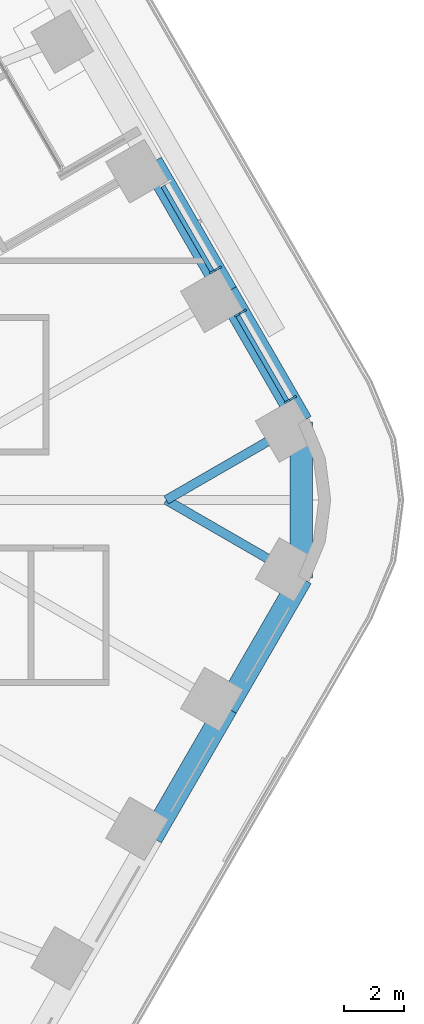
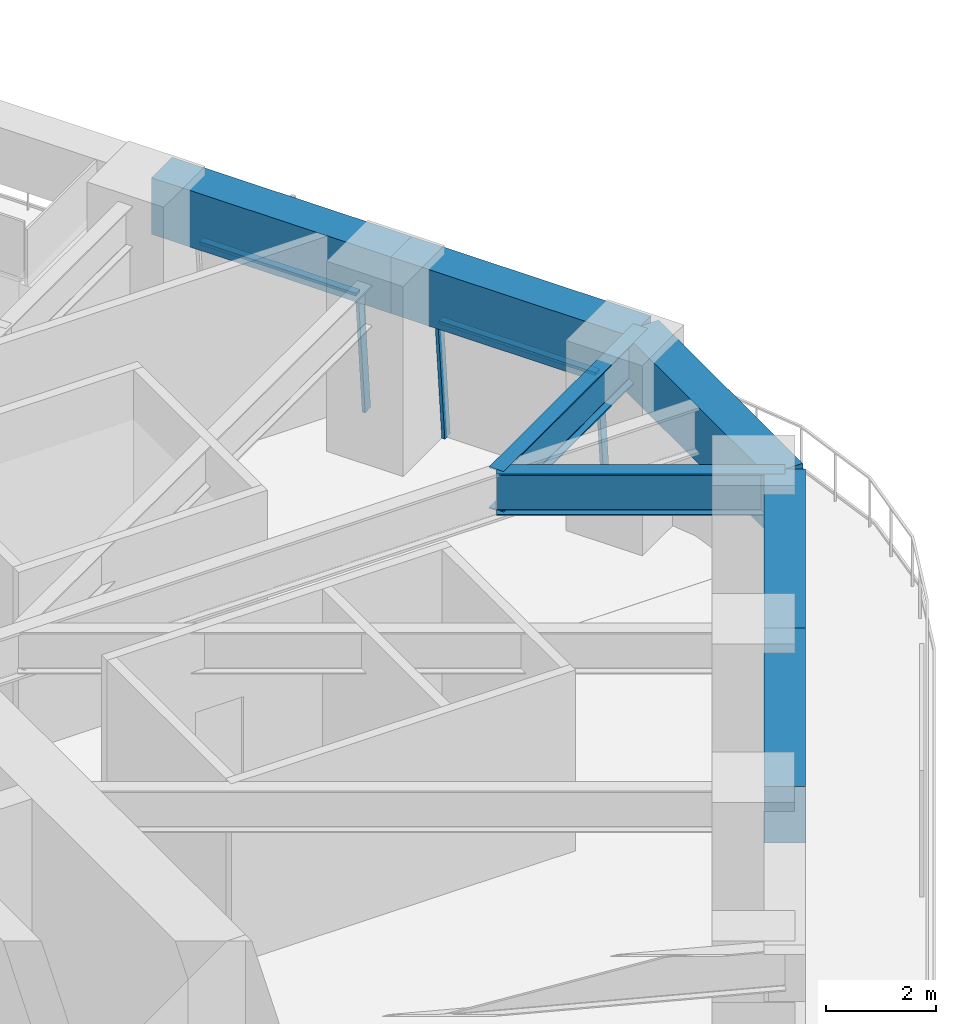
# One storey, part 14 of 24: 7 beams, 5 members, 2 elements without a shape of their own.
"""IFC4 building model written with IfcOpenShell, lengths in metres."""

import ifcopenshell
import ifcopenshell.guid

model = None  # the IFC model being written
_history = None  # IfcOwnerHistory: only IFC2X3 demands one
_inside = {}  # id of a spatial element -> (the spatial element, [elements in it])
_under = {}  # id of a project, library or spatial element -> (it, [spatial elements below it])
_declared = {}  # id of a project -> (the project, [libraries it declares])
_typed = {}  # id of a type object -> (the type object, [elements of that type])
_made_of = {}  # id of a material, layer set ... -> (it, [elements and type objects made of it])


def new_model(schema):
    """Start an empty IFC model of exactly this schema.

    Asked for "IFC4X3", IfcOpenShell would pick the latest addendum, in which some entities
    have other attributes; the version numbers below select the first issue.
    IFC2X3 requires an IfcOwnerHistory on every rooted entity: one is made here for all.
    """
    global model, _history
    if schema == "IFC4X3":
        model = ifcopenshell.file(schema_version=(4, 3, 0, 0))
    else:
        model = ifcopenshell.file(schema=schema)
    _inside.clear()
    _under.clear()
    _declared.clear()
    _typed.clear()
    _made_of.clear()
    _history = None
    if model.schema == "IFC2X3":
        org = make("IfcOrganization", Name="unknown")
        user = make(
            "IfcPersonAndOrganization",
            ThePerson=make("IfcPerson", FamilyName="unknown"),
            TheOrganization=org,
        )
        app = make(
            "IfcApplication",
            ApplicationDeveloper=org,
            Version="unknown",
            ApplicationFullName="unknown",
            ApplicationIdentifier="unknown",
        )
        _history = make(
            "IfcOwnerHistory",
            OwningUser=user,
            OwningApplication=app,
            ChangeAction="ADDED",
            CreationDate=0,
        )
    return model


def make(cls, **values):
    """One entity of the class cls with the attributes given. An attribute that is None is left unset."""
    return model.create_entity(
        cls, **{name: value for name, value in values.items() if value is not None}
    )


def rooted(cls, **values):
    """An entity with a GlobalId (a new one), such as an element, a storey or a relation."""
    return make(cls, GlobalId=ifcopenshell.guid.new(), OwnerHistory=_history, **values)


def si_unit(unit_type, name, prefix=None):
    """IfcSIUnit, for example si_unit("LENGTHUNIT", "METRE", prefix="MILLI")."""
    return make("IfcSIUnit", UnitType=unit_type, Prefix=prefix, Name=name)


def assignment(units):
    """IfcUnitAssignment: the units of a project."""
    return None if units is None else make("IfcUnitAssignment", Units=units)


def point(xyz):
    """IfcCartesianPoint."""
    return None if xyz is None else make("IfcCartesianPoint", Coordinates=xyz)


def direction(xyz):
    """IfcDirection."""
    return None if xyz is None else make("IfcDirection", DirectionRatios=xyz)


def frame(location, z_axis=None, x_axis=None):
    """IfcAxis2Placement3D, a coordinate frame: its origin and axes. An axis left out is left unset."""
    return make(
        "IfcAxis2Placement3D",
        Location=point(location),
        Axis=direction(z_axis),
        RefDirection=direction(x_axis),
    )


def frame_2d(location, x_axis=None):
    """IfcAxis2Placement2D, a coordinate frame in the plane: its origin and x axis."""
    return make(
        "IfcAxis2Placement2D", Location=point(location), RefDirection=direction(x_axis)
    )


def origin():
    """The frame at (0, 0, 0) with its axes left unset."""
    return frame((0.0, 0.0, 0.0))


def origin_2d():
    """The frame at (0, 0) in the plane with its x axis left unset."""
    return frame_2d((0.0, 0.0))


def place(relative_to, where):
    """IfcLocalPlacement: puts the frame where relative to a parent placement (None: the world)."""
    return make(
        "IfcLocalPlacement", PlacementRelTo=relative_to, RelativePlacement=where
    )


def context(
    kind, dimensions, precision=None, world=None, true_north=None, identifier=None
):
    """IfcGeometricRepresentationContext, for example the 3D "Model" context."""
    return make(
        "IfcGeometricRepresentationContext",
        ContextIdentifier=identifier,
        ContextType=kind,
        CoordinateSpaceDimension=dimensions,
        Precision=precision,
        WorldCoordinateSystem=world,
        TrueNorth=true_north,
    )


def subcontext(parent, identifier, kind, view, scale=None):
    """IfcGeometricRepresentationSubContext, for example "Body" below "Model"."""
    return make(
        "IfcGeometricRepresentationSubContext",
        ContextIdentifier=identifier,
        ContextType=kind,
        ParentContext=parent,
        TargetScale=scale,
        TargetView=view,
    )


def project(units=None, contexts=None):
    """IfcProject with its units and contexts."""
    return rooted(
        "IfcProject",
        Name="project",
        RepresentationContexts=contexts,
        UnitsInContext=assignment(units),
    )


def spatial(cls, under=None, at=None, **own):
    """A site, building, storey or space (cls), placed at a placement, below another one or the project."""
    s = rooted(cls, ObjectPlacement=at, **own)
    if under is not None:
        _under.setdefault(under.id(), (under, []))[1].append(s)
    return s


def profile(cls, at=None, kind="AREA", **sizes):
    """A parametric profile (cls). Its sizes go by their IFC names, for example OverallWidth=200.0."""
    return make(cls, ProfileType=kind, Position=at, **sizes)


def rectangle(**sizes):
    """IfcRectangleProfileDef."""
    return profile("IfcRectangleProfileDef", **sizes)


def i_section(**sizes):
    """IfcIShapeProfileDef."""
    return profile("IfcIShapeProfileDef", **sizes)


def extrude(swept, where, along, depth):
    """IfcExtrudedAreaSolid: the profile swept, set in the frame where, extruded along a direction by depth."""
    return make(
        "IfcExtrudedAreaSolid",
        SweptArea=swept,
        Position=where,
        ExtrudedDirection=direction(along),
        Depth=depth,
    )


def shape(context_of_items, identifier, shape_type, items):
    """IfcShapeRepresentation: the items that make up one representation, for example the "Body"."""
    return make(
        "IfcShapeRepresentation",
        ContextOfItems=context_of_items,
        RepresentationIdentifier=identifier,
        RepresentationType=shape_type,
        Items=items,
    )


def material(Name=None, Category=None):
    """IfcMaterial."""
    return make("IfcMaterial", Name=Name, Category=Category)


def material_profile(
    of_material, cross_section, Name=None, Category=None, Priority=None
):
    """IfcMaterialProfile: a cross section and its material."""
    return make(
        "IfcMaterialProfile",
        Name=Name,
        Material=of_material,
        Profile=cross_section,
        Priority=Priority,
        Category=Category,
    )


def profile_set(profiles, Name=None, composite=None):
    """IfcMaterialProfileSet."""
    return make(
        "IfcMaterialProfileSet",
        Name=Name,
        MaterialProfiles=profiles,
        CompositeProfile=composite,
    )


def made_of(thing, what):
    """Note that an element or type object is made of a material, layer set ...; save() writes the relation."""
    if what is not None:
        _made_of.setdefault(what.id(), (what, []))[1].append(thing)
    return thing


def type_object(cls, material=None, **own):
    """A type object (cls), such as IfcWallType, which elements share."""
    return made_of(rooted(cls, **own), material)


def element(
    cls,
    number,
    at=None,
    inside=None,
    cuts=None,
    type_object=None,
    material=None,
    context=None,
    identifier="Body",
    shape_type=None,
    held_by="IfcProductDefinitionShape",
    body=None,
    shapes=None,
    **own,
):
    """One element of the class cls, such as IfcWall. Its Tag is "e" and its number.

    at: its placement. inside: the storey or other place that contains it. cuts: it is an
    opening in that element (IfcRelVoidsElement). A single representation is given by context,
    identifier, shape_type and body (its items); several are given by shapes. held_by: the class
    of the entity that holds the representations. save() writes the other relations.
    """
    e = rooted(cls, Tag="e%d" % number, ObjectPlacement=at, **own)
    if body is not None:
        shapes = [shape(context, identifier, shape_type, body)]
    if shapes is not None:
        e.Representation = make(held_by, Representations=shapes)
    if inside is not None:
        _inside.setdefault(inside.id(), (inside, []))[1].append(e)
    if cuts is not None:
        rooted(
            "IfcRelVoidsElement", RelatingBuildingElement=cuts, RelatedOpeningElement=e
        )
    if type_object is not None:
        _typed.setdefault(type_object.id(), (type_object, []))[1].append(e)
    return made_of(e, material)


def aggregate(whole, parts):
    """IfcRelAggregates: a whole, such as a stair, and the parts it consists of."""
    return rooted("IfcRelAggregates", RelatingObject=whole, RelatedObjects=parts)


def save(model, path):
    """Write the relations noted so far, then the file.

    IfcRelAggregates (storeys below a building ...), IfcRelContainedInSpatialStructure (elements
    in a storey), IfcRelDefinesByType, IfcRelAssociatesMaterial and IfcRelDeclares: one each for
    every whole, place, type object, material and project.
    """
    for whole, parts in _under.values():
        aggregate(whole, parts)
    for where, things in _inside.values():
        rooted(
            "IfcRelContainedInSpatialStructure",
            RelatedElements=things,
            RelatingStructure=where,
        )
    for kind, things in _typed.values():
        rooted("IfcRelDefinesByType", RelatedObjects=things, RelatingType=kind)
    for what, things in _made_of.values():
        rooted("IfcRelAssociatesMaterial", RelatedObjects=things, RelatingMaterial=what)
    for by, libraries in _declared.values():
        rooted("IfcRelDeclares", RelatingContext=by, RelatedDefinitions=libraries)
    model.write(path)


model = new_model("IFC4")

# Units and contexts
model_context = context("Model", 3, precision=1e-05, world=origin(), true_north=direction((0.0, 1.0)))
body_context = subcontext(model_context, "Body", "Model", "MODEL_VIEW")
ifc_project = project(units=[si_unit("LENGTHUNIT", "METRE"), si_unit("AREAUNIT", "SQUARE_METRE"), si_unit("VOLUMEUNIT", "CUBIC_METRE"), si_unit("PLANEANGLEUNIT", "RADIAN"), si_unit("MASSUNIT", "GRAM", prefix="KILO")], contexts=[model_context])

# Site, building, storey
site_placement = place(None, origin())
site = spatial("IfcSite", under=ifc_project, at=site_placement, CompositionType="ELEMENT")
building_placement = place(site_placement, origin())
building = spatial("IfcBuilding", under=site, at=building_placement, Name="Tarfa Lantern Tower", CompositionType="ELEMENT")
storey_placement = place(building_placement, frame((0.0, 0.0, 144.699951171875)))
storey = spatial("IfcBuildingStorey", under=building, at=storey_placement, Name="L32", CompositionType="ELEMENT", Elevation=144.699951171875)

# Curtain wall, members
ifc_material_1 = material(Name="Aluminium framed curtain wall", Category="aluminium")
curtain_wall_type = type_object("IfcCurtainWallType", Name="CW2 CANTED GLAZING MID ZONE 2750", PredefinedType="USERDEFINED", material=ifc_material_1)
curtain_wall_1_placement = place(storey_placement, origin())
curtain_wall_1 = element("IfcCurtainWall", 1, at=curtain_wall_1_placement, inside=storey, type_object=curtain_wall_type, Name="CW2 NE L32", ObjectType="CURTAIN WALL", PredefinedType="USERDEFINED")
ifc_material_2 = material(Name="Aluminium mullion", Category="aluminium")
ifc_material_profile_1 = material_profile(ifc_material_2, rectangle(XDim=0.06494140625, YDim=0.199951171875, at=origin_2d()), Name="AL MULLION 65x200")
ifc_profile_set_1 = profile_set([ifc_material_profile_1], Name="Aluminium mullion")
member_type_1 = type_object("IfcMemberType", Name="CWM1 MULLION 65x200", PredefinedType="MULLION", material=ifc_profile_set_1)
member_1_placement = place(storey_placement, frame((34.282470703125, 3.4208984375, 0.0), z_axis=(-0.078422950161, -0.045267813396, 0.995891894715), x_axis=(0.499919672301, -0.866071776036, 0.0)))
member_1 = element("IfcMember", 2, at=member_1_placement, type_object=member_type_1, Name="CW2 mullion 1", PredefinedType="MULLION", context=body_context, shape_type="SweptSolid", body=[
    extrude(rectangle(XDim=0.06494140625, YDim=0.199951171875, at=origin_2d()), origin(), (0.0, 0.0, 1.0), 2.76123046875),
])
member_2_placement = place(storey_placement, frame((32.613037109375, 6.312255859375, 0.0), z_axis=(-0.078335079308, -0.045268127094, 0.995898796073), x_axis=(0.500342721131, -0.865827443207, 0.0)))
member_2 = element("IfcMember", 3, at=member_2_placement, type_object=member_type_1, Name="CW2 mullion 2", PredefinedType="MULLION", context=body_context, shape_type="SweptSolid", body=[
    extrude(rectangle(XDim=0.06494140625, YDim=0.199951171875, at=origin_2d()), origin(), (0.0, 0.0, 1.0), 2.76123046875),
])

# Curtain wall, member
curtain_wall_2_placement = place(storey_placement, origin())
curtain_wall_2 = element("IfcCurtainWall", 4, at=curtain_wall_2_placement, inside=storey, type_object=curtain_wall_type, Name="CW2 NE L32", ObjectType="CURTAIN WALL", PredefinedType="USERDEFINED")
member_3_placement = place(storey_placement, frame((31.78076171875, 7.75439453125, 0.0), z_axis=(-0.078422950161, -0.045267813396, 0.995891894715), x_axis=(0.499919672301, -0.866071776036, 0.0)))
member_3 = element("IfcMember", 5, at=member_3_placement, type_object=member_type_1, Name="CW2 mullion 1", PredefinedType="MULLION", context=body_context, shape_type="SweptSolid", body=[
    extrude(rectangle(XDim=0.06494140625, YDim=0.199951171875, at=origin_2d()), origin(), (0.0, 0.0, 1.0), 2.76123046875),
])

# Member
ifc_material_3 = material(Name="Aluminium transom", Category="aluminium")
ifc_material_profile_2 = material_profile(ifc_material_3, rectangle(XDim=0.14990234375, YDim=0.06494140625, at=origin_2d()), Name="AL TRANSOM 150x65")
ifc_profile_set_2 = profile_set([ifc_material_profile_2], Name="Aluminium transom")
member_type_2 = type_object("IfcMemberType", Name="CWT1 TRANSOM 150x65", PredefinedType="USERDEFINED", material=ifc_profile_set_2)
member_4_placement = place(storey_placement, frame((34.05224609375, 3.32568359375, 2.717529296875), z_axis=(-0.499989298045, 0.866031582473, 0.0), x_axis=(-0.866031582473, -0.499989298045, 0.0)))
member_4 = element("IfcMember", 6, at=member_4_placement, type_object=member_type_2, Name="CW2 transom 1.2", ObjectType="TRANSOM", PredefinedType="USERDEFINED", context=body_context, shape_type="SweptSolid", body=[
    extrude(rectangle(XDim=0.14990234375, YDim=0.06494140625, at=origin_2d()), origin(), (0.0, 0.0, 1.0), 3.2734375),
])

aggregate(curtain_wall_1, [member_1, member_2, member_4])

member_5_placement = place(storey_placement, frame((31.550537109375, 7.658935546875, 2.717529296875), z_axis=(-0.500012937857, 0.86601793398, 0.0), x_axis=(-0.86601793398, -0.500012937857, 0.0)))
member_5 = element("IfcMember", 7, at=member_5_placement, type_object=member_type_2, Name="CW2 transom 1.2", ObjectType="TRANSOM", PredefinedType="USERDEFINED", context=body_context, shape_type="SweptSolid", body=[
    extrude(rectangle(XDim=0.14990234375, YDim=0.06494140625, at=origin_2d()), origin(), (0.0, 0.0, 1.0), 3.27392578125),
])

aggregate(curtain_wall_2, [member_3, member_5])

# Beams
ifc_material_4 = material(Name="Concrete C80/95", Category="concrete")
ifc_material_profile_3 = material_profile(ifc_material_4, rectangle(XDim=0.75, YDim=1.25, at=origin_2d()), Name="RC 750x1250")
ifc_profile_set_3 = profile_set([ifc_material_profile_3], Name="Concrete C80/95")
beam_type_1 = type_object("IfcBeamType", Name="EB2 RC 750x1250", PredefinedType="SPANDREL", material=ifc_profile_set_3)
for number, where, z_axis, x_axis, name in (
    (8, (34.54296875, 2.610107421875, 3.375), (-0.500022324899, 0.866012514114, 0.0), (-0.866012514114, -0.500022324899, 0.0), "Edge beam NE0"),
    (9, (32.041015625, 6.943359375, 3.375), (-0.500022324899, 0.866012514114, 0.0), (-0.866012514114, -0.500022324899, 0.0), "Edge beam NE1"),
    (10, (29.5390625, -11.276611328125, 3.375), (0.500022324899, 0.866012514114, 0.0), (-0.866012514114, 0.500022324899, 0.0), "Edge beam SE4"),
    (11, (32.041015625, -6.943359375, 3.375), (0.500022324899, 0.866012514114, 0.0), (-0.866012514114, 0.500022324899, 0.0), "Edge beam SE5"),
):
    element("IfcBeam", number, at=place(storey_placement, frame(where, z_axis=z_axis, x_axis=x_axis)), inside=storey, type_object=beam_type_1, Name=name, PredefinedType="SPANDREL", context=body_context, shape_type="SweptSolid", body=[
        extrude(rectangle(XDim=0.75, YDim=1.25, at=origin_2d()), origin(), (0.0, 0.0, 1.0), 5.003662109375),
    ])
beam_placement = place(storey_placement, frame((34.54296875, -2.610107421875, 3.375), z_axis=(0.0, 1.0, 0.0), x_axis=(-1.0, 0.0, 0.0)))
element("IfcBeam", 12, at=beam_placement, inside=storey, type_object=beam_type_1, Name="Edge beam SE6", PredefinedType="SPANDREL", context=body_context, shape_type="SweptSolid", body=[
    extrude(rectangle(XDim=0.75, YDim=1.25, at=origin_2d()), origin(), (0.0, 0.0, 1.0), 5.22021484375),
])
ifc_material_5 = material(Name="Steel S460M", Category="steel")
ifc_material_profile_4 = material_profile(ifc_material_5, i_section(OverallWidth=0.305419921875, OverallDepth=0.91845703125, WebThickness=0.017333984375, FlangeThickness=0.02783203125, FilletRadius=0.01904296875, at=origin_2d()), Name="UB914x305x253")
ifc_profile_set_4 = profile_set([ifc_material_profile_4], Name="Steel S460M")
beam_type_2 = type_object("IfcBeamType", Name="UB914x305x253", PredefinedType="BEAM", material=ifc_profile_set_4)
for number, where, z_axis, x_axis, name in (
    (13, (34.54296875, 2.610107421875, 3.540771484375), (-0.866021250859, -0.500007193008, 0.0), (0.500007193008, -0.866021250859, 0.0), "Floor beam NE0"),
    (14, (34.54296875, -2.610107421875, 3.540771484375), (-0.866021250859, 0.500007193008, 0.0), (-0.500007193008, -0.866021250859, 0.0), "Floor beam SE6"),
):
    element("IfcBeam", number, at=place(storey_placement, frame(where, z_axis=z_axis, x_axis=x_axis)), inside=storey, type_object=beam_type_2, Name=name, PredefinedType="BEAM", context=body_context, shape_type="SweptSolid", body=[
        extrude(i_section(OverallWidth=0.305419921875, OverallDepth=0.91845703125, WebThickness=0.017333984375, FlangeThickness=0.02783203125, FilletRadius=0.01904296875, at=origin_2d()), origin(), (0.0, 0.0, 1.0), 5.22021484375),
    ])

save(model, "model.ifc")
